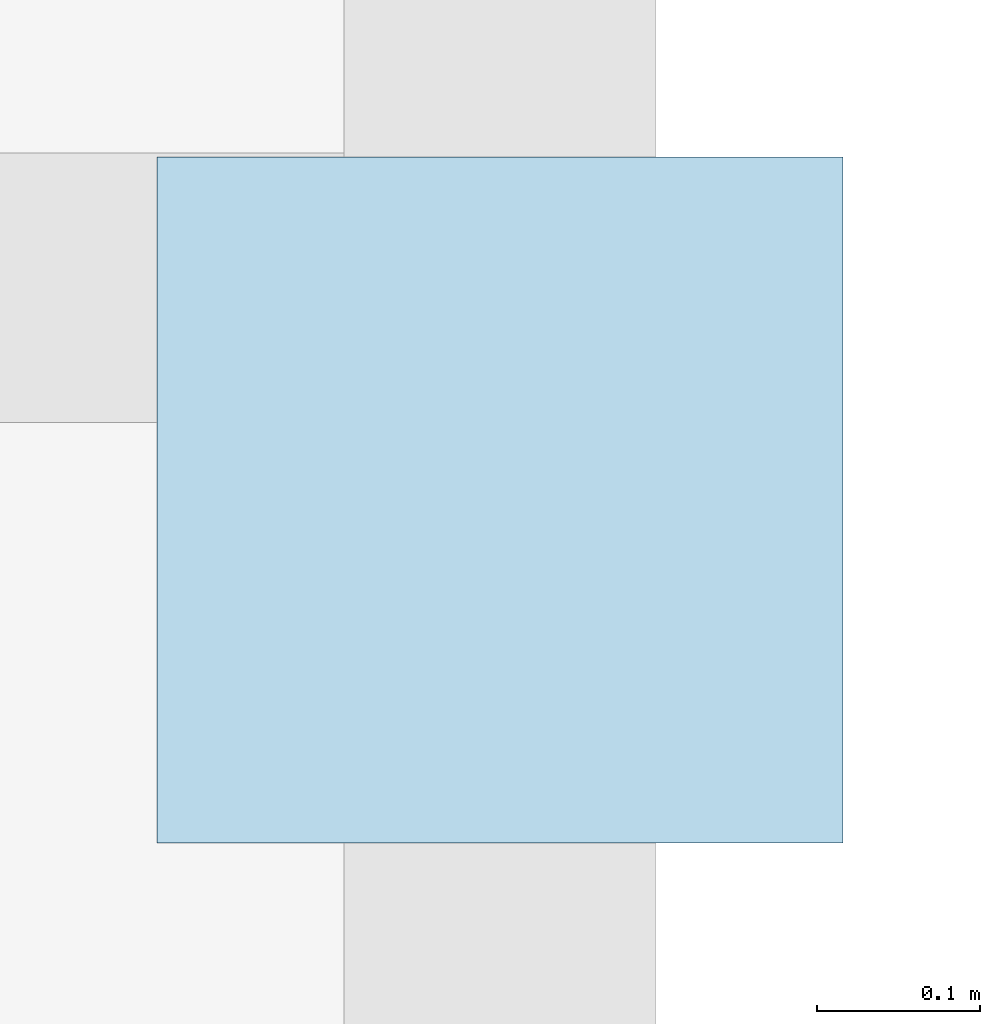
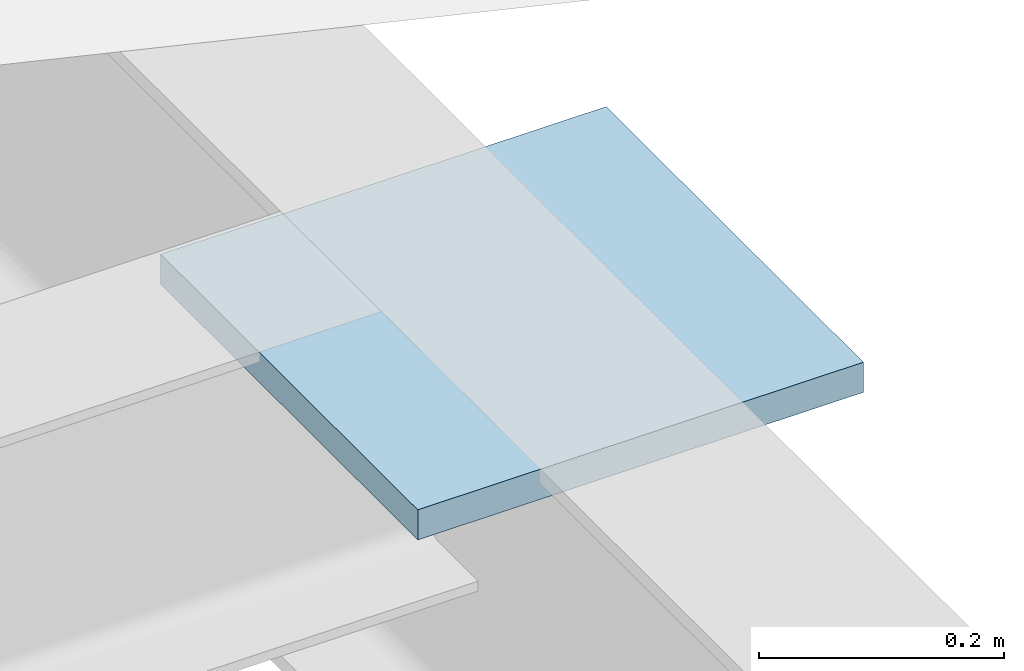
# One storey, part 131 of 157: 1 plate.
"""IFC4 building model written with IfcOpenShell, lengths in metres."""

from ifc_helpers import new_model, si_unit, direction, frame, origin, origin_2d, place, context, subcontext, project, spatial, rectangle, extrude, material, layer, layer_set, type_object, element, save


model = new_model("IFC4")

# Units and contexts
model_context = context("Model", 3, precision=1e-05, world=origin(), true_north=direction((0.0, 1.0)))
body_context = subcontext(model_context, "Body", "Model", "MODEL_VIEW")
ifc_project = project(units=[si_unit("LENGTHUNIT", "METRE"), si_unit("AREAUNIT", "SQUARE_METRE"), si_unit("VOLUMEUNIT", "CUBIC_METRE"), si_unit("PLANEANGLEUNIT", "RADIAN"), si_unit("MASSUNIT", "GRAM", prefix="KILO")], contexts=[model_context])

# Site, building, storey
site_placement = place(None, origin())
site = spatial("IfcSite", under=ifc_project, at=site_placement, CompositionType="ELEMENT")
building_placement = place(site_placement, origin())
building = spatial("IfcBuilding", under=site, at=building_placement, Name="Chalmorin Arch Market", CompositionType="ELEMENT")
storey_placement = place(building_placement, frame((0.0, 0.0, 4.800048828125)))
storey = spatial("IfcBuildingStorey", under=building, at=storey_placement, Name="L01", CompositionType="ELEMENT", Elevation=4.800048828125)

# Plate
ifc_material = material(Name="Steel A572 Grade 50", Category="steel")
ifc_layer = layer(ifc_material, 0.02490234375)
ifc_layer_set = layer_set([ifc_layer], Name="Steel A572 Grade 50")
plate_type = type_object("IfcPlateType", Name="NodeGussetPlate-600x400x25", PredefinedType="SHEET", material=ifc_layer_set)
plate_placement = place(storey_placement, frame((124.800048828125, 2.050048828125, -0.283203125), z_axis=(0.0, 0.0, 1.0), x_axis=(1.0, 0.0, 0.0)))
element("IfcPlate", 1, at=plate_placement, inside=storey, type_object=plate_type, Name="GP-01-028", PredefinedType="SHEET", context=body_context, shape_type="SweptSolid", body=[
    extrude(rectangle(XDim=0.419921875, YDim=0.419921875, at=origin_2d()), origin(), (0.0, 0.0, 1.0), 0.030029296875),
])

save(model, "model.ifc")
